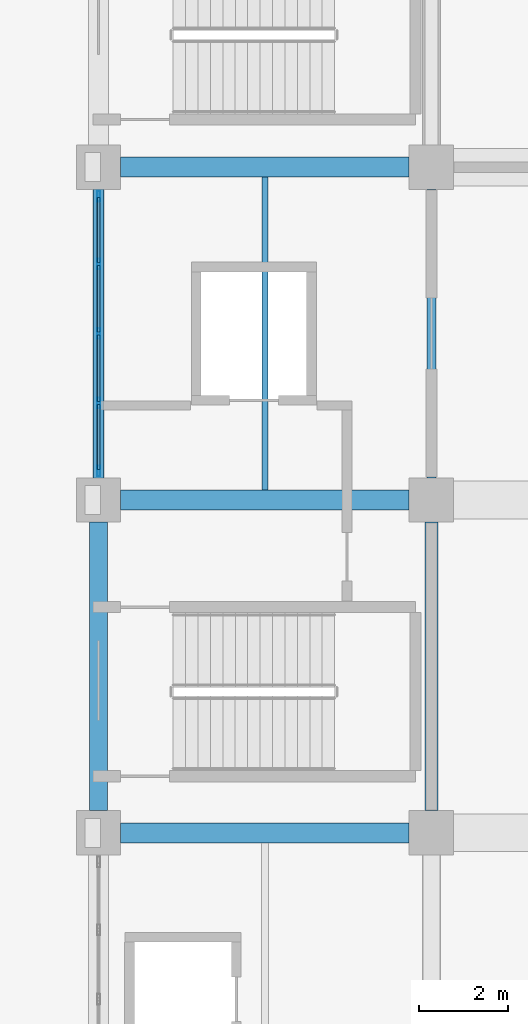
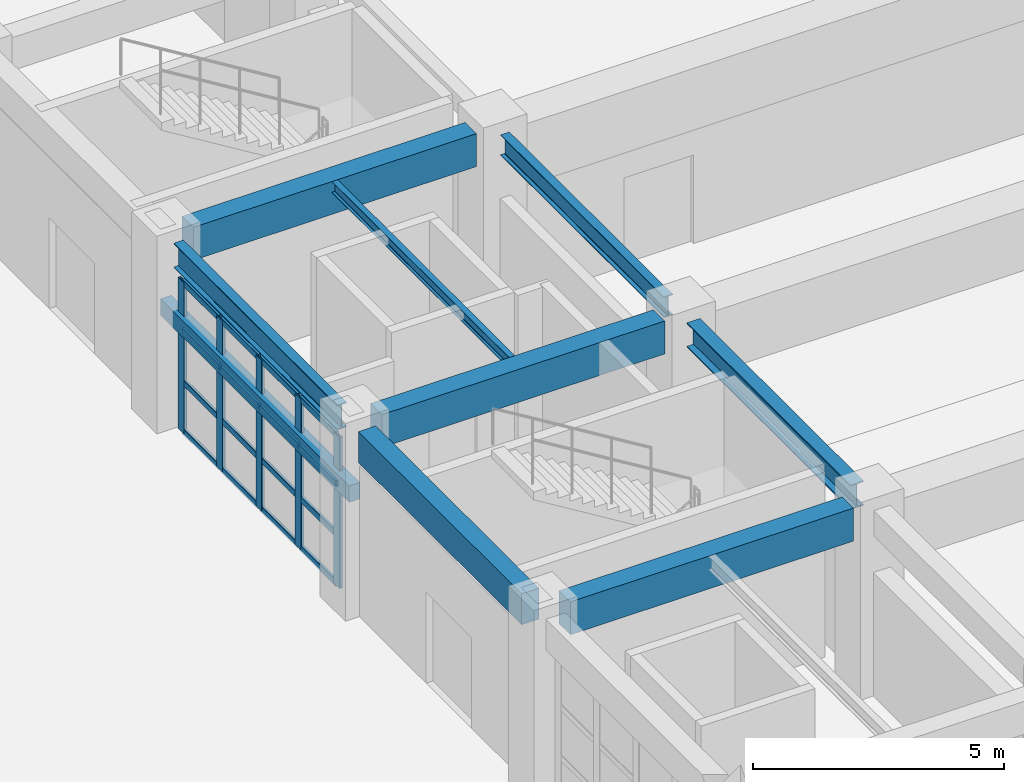
# One storey, part 22 of 122: 21 members, 9 beams, 1 element without a shape of its own.
"""IFC4 building model written with IfcOpenShell, lengths in metres."""

from ifc_helpers import new_model, si_unit, direction, frame, origin, origin_2d, place, context, subcontext, project, spatial, rectangle, hollow_rectangle, i_section, extrude, material, material_profile, profile_set, type_object, element, aggregate, save


model = new_model("IFC4")

# Units and contexts
model_context = context("Model", 3, precision=1e-05, world=origin(), true_north=direction((0.0, 1.0)))
body_context = subcontext(model_context, "Body", "Model", "MODEL_VIEW")
ifc_project = project(units=[si_unit("LENGTHUNIT", "METRE"), si_unit("AREAUNIT", "SQUARE_METRE"), si_unit("VOLUMEUNIT", "CUBIC_METRE"), si_unit("PLANEANGLEUNIT", "RADIAN"), si_unit("MASSUNIT", "GRAM", prefix="KILO")], contexts=[model_context])

# Site, building, storey
site_placement = place(None, origin())
site = spatial("IfcSite", under=ifc_project, at=site_placement, CompositionType="ELEMENT")
building_placement = place(site_placement, origin())
building = spatial("IfcBuilding", under=site, at=building_placement, Name="Qasida Concert Hall", CompositionType="ELEMENT")
storey_placement = place(building_placement, origin())
storey = spatial("IfcBuildingStorey", under=building, at=storey_placement, Name="L00", CompositionType="ELEMENT", Elevation=0.0)

# Beams
ifc_material_1 = material(Name="Steel S355J2", Category="steel")
ifc_material_profile_1 = material_profile(ifc_material_1, i_section(OverallWidth=0.199951171875, OverallDepth=0.5, WebThickness=0.01025390625, FlangeThickness=0.01611328125, FilletRadius=0.02099609375, at=origin_2d()), Name="IPE 500")
ifc_profile_set_1 = profile_set([ifc_material_profile_1], Name="Steel S355J2")
beam_type_1 = type_object("IfcBeamType", Name="BM-B4", PredefinedType="BEAM", material=ifc_profile_set_1)
beam_1_placement = place(storey_placement, frame((60.0, 53.0, 4.25), z_axis=(0.0, 1.0, 0.0), x_axis=(-1.0, 0.0, 0.0)))
element("IfcBeam", 1, at=beam_1_placement, inside=storey, type_object=beam_type_1, Name="L00 girder 0412", PredefinedType="BEAM", context=body_context, shape_type="SweptSolid", body=[
    extrude(i_section(OverallWidth=0.199951171875, OverallDepth=0.5, WebThickness=0.01025390625, FlangeThickness=0.01611328125, FilletRadius=0.02099609375, at=origin_2d()), origin(), (0.0, 0.0, 1.0), 6.5),
])
ifc_material_profile_2 = material_profile(ifc_material_1, i_section(OverallWidth=0.300048828125, OverallDepth=0.60009765625, WebThickness=0.015380859375, FlangeThickness=0.030029296875, FilletRadius=0.027099609375, at=origin_2d()), Name="HEB 600")
ifc_profile_set_2 = profile_set([ifc_material_profile_2], Name="Steel S355J2")
beam_type_2 = type_object("IfcBeamType", Name="BM-B6", PredefinedType="BEAM", material=ifc_profile_set_2)
beam_2_placement = place(storey_placement, frame((60.0, 45.5, 4.199951171875), z_axis=(0.0, 1.0, 0.0), x_axis=(-1.0, 0.0, 0.0)))
element("IfcBeam", 2, at=beam_2_placement, inside=storey, type_object=beam_type_2, Name="L00 girder 0411", PredefinedType="BEAM", context=body_context, shape_type="SweptSolid", body=[
    extrude(i_section(OverallWidth=0.300048828125, OverallDepth=0.60009765625, WebThickness=0.015380859375, FlangeThickness=0.030029296875, FilletRadius=0.027099609375, at=origin_2d()), origin(), (0.0, 0.0, 1.0), 6.5),
])
ifc_material_2 = material(Name="Concrete C40/50", Category="concrete")
ifc_material_profile_3 = material_profile(ifc_material_2, rectangle(XDim=0.449951171875, YDim=0.800048828125, at=origin_2d()), Name="RC 450x800")
ifc_profile_set_3 = profile_set([ifc_material_profile_3], Name="Concrete C40/50")
beam_type_3 = type_object("IfcBeamType", Name="BM-G2", PredefinedType="USERDEFINED", material=ifc_profile_set_3)
for number, where, z_axis, x_axis, name in (
    (3, (53.0, 45.0, 4.10009765625), (1.0, 0.0, 0.0), (0.0, 1.0, 0.0), "Primary girder 0370"),
    (4, (53.0, 52.5, 4.10009765625), (1.0, 0.0, 0.0), (0.0, 1.0, 0.0), "Primary girder 0375"),
    (5, (53.0, 60.0, 4.10009765625), (1.0, 0.0, 0.0), (0.0, 1.0, 0.0), "Primary girder 0380"),
):
    element("IfcBeam", number, at=place(storey_placement, frame(where, z_axis=z_axis, x_axis=x_axis)), inside=storey, type_object=beam_type_3, Name=name, ObjectType="GIRDER", PredefinedType="USERDEFINED", context=body_context, shape_type="SweptSolid", body=[
        extrude(rectangle(XDim=0.449951171875, YDim=0.800048828125, at=origin_2d()), origin(), (0.0, 0.0, 1.0), 6.5),
    ])
ifc_material_profile_4 = material_profile(ifc_material_1, i_section(OverallWidth=0.135009765625, OverallDepth=0.27001953125, WebThickness=0.006591796875, FlangeThickness=0.01025390625, FilletRadius=0.014892578125, at=origin_2d()), Name="IPE 270")
ifc_profile_set_4 = profile_set([ifc_material_profile_4], Name="Steel S355J2")
beam_type_4 = type_object("IfcBeamType", Name="BM-J6", PredefinedType="JOIST", material=ifc_profile_set_4)
beam_3_placement = place(storey_placement, frame((56.25, 52.72509765625, 4.364990234375), z_axis=(0.0, 1.0, 0.0), x_axis=(-1.0, 0.0, 0.0)))
element("IfcBeam", 6, at=beam_3_placement, inside=storey, type_object=beam_type_4, Name="L00 secondary joist 0445", PredefinedType="JOIST", context=body_context, shape_type="SweptSolid", body=[
    extrude(i_section(OverallWidth=0.135009765625, OverallDepth=0.27001953125, WebThickness=0.006591796875, FlangeThickness=0.01025390625, FilletRadius=0.014892578125, at=origin_2d()), origin(), (0.0, 0.0, 1.0), 7.0498046875),
])
ifc_material_profile_5 = material_profile(ifc_material_2, rectangle(XDim=0.25, YDim=0.39990234375, at=origin_2d()), Name="RC 250x400")
ifc_profile_set_5 = profile_set([ifc_material_profile_5], Name="Concrete C40/50")
beam_type_5 = type_object("IfcBeamType", Name="BM-LN1", PredefinedType="LINTEL", material=ifc_profile_set_5)
beam_4_placement = place(storey_placement, frame((52.5, 52.5, 2.64990234375), z_axis=(0.0, 1.0, 0.0), x_axis=(-1.0, 0.0, 0.0)))
element("IfcBeam", 7, at=beam_4_placement, inside=storey, type_object=beam_type_5, Name="L00 portal lintel beam 001", PredefinedType="LINTEL", context=body_context, shape_type="SweptSolid", body=[
    extrude(rectangle(XDim=0.25, YDim=0.39990234375, at=origin_2d()), origin(), (0.0, 0.0, 1.0), 7.5),
])
ifc_material_profile_6 = material_profile(ifc_material_2, rectangle(XDim=0.39990234375, YDim=0.75, at=origin_2d()), Name="RC 400x750")
ifc_profile_set_6 = profile_set([ifc_material_profile_6], Name="Concrete C40/50")
beam_type_6 = type_object("IfcBeamType", Name="BM-SP1", PredefinedType="SPANDREL", material=ifc_profile_set_6)
beam_5_placement = place(storey_placement, frame((52.5, 45.5, 4.125), z_axis=(0.0, 1.0, 0.0), x_axis=(-1.0, 0.0, 0.0)))
element("IfcBeam", 8, at=beam_5_placement, inside=storey, type_object=beam_type_6, Name="L00 girder 0405", PredefinedType="SPANDREL", context=body_context, shape_type="SweptSolid", body=[
    extrude(rectangle(XDim=0.39990234375, YDim=0.75, at=origin_2d()), origin(), (0.0, 0.0, 1.0), 6.5),
])
ifc_material_profile_7 = material_profile(ifc_material_1, i_section(OverallWidth=0.219970703125, OverallDepth=0.60009765625, WebThickness=0.011962890625, FlangeThickness=0.01904296875, FilletRadius=0.02392578125, at=origin_2d()), Name="IPE 600")
ifc_profile_set_7 = profile_set([ifc_material_profile_7], Name="Steel S355J2")
beam_type_7 = type_object("IfcBeamType", Name="BM-SP3", PredefinedType="SPANDREL", material=ifc_profile_set_7)
beam_6_placement = place(storey_placement, frame((52.5, 53.0, 4.199951171875), z_axis=(0.0, 1.0, 0.0), x_axis=(-1.0, 0.0, 0.0)))
element("IfcBeam", 9, at=beam_6_placement, inside=storey, type_object=beam_type_7, Name="L00 girder 0406", PredefinedType="SPANDREL", context=body_context, shape_type="SweptSolid", body=[
    extrude(i_section(OverallWidth=0.219970703125, OverallDepth=0.60009765625, WebThickness=0.011962890625, FlangeThickness=0.01904296875, FilletRadius=0.02392578125, at=origin_2d()), origin(), (0.0, 0.0, 1.0), 6.5),
])

# Curtain wall, members
ifc_material_3 = material(Name="Architectural bronze-anodized aluminium and low-E glass", Category="aluminium")
curtain_wall_type = type_object("IfcCurtainWallType", Name="CW-01", PredefinedType="NOTDEFINED", material=ifc_material_3)
curtain_wall_placement = place(storey_placement, origin())
curtain_wall = element("IfcCurtainWall", 10, at=curtain_wall_placement, inside=storey, type_object=curtain_wall_type, Name="L00 curtain wall CW-01 0039", PredefinedType="NOTDEFINED")
ifc_material_4 = material(Name="Architectural bronze-anodized aluminium EN AW-6063", Category="aluminium")
ifc_material_profile_8 = material_profile(ifc_material_4, hollow_rectangle(XDim=0.070068359375, YDim=0.239990234375, WallThickness=0.0048828125, InnerFilletRadius=0.0048828125, OuterFilletRadius=0.010009765625, at=origin_2d()), Name="CWM 240x70x5")
ifc_profile_set_8 = profile_set([ifc_material_profile_8], Name="Architectural bronze-anodized aluminium EN AW-6063")
member_type_1 = type_object("IfcMemberType", Name="MB-CWM-1", PredefinedType="MULLION", material=ifc_profile_set_8)
member_1_placement = place(storey_placement, frame((52.5, 53.155029296875, 0.0), z_axis=(0.0, 0.0, 1.0), x_axis=(-1.0, 0.0, 0.0)))
member_1 = element("IfcMember", 11, at=member_1_placement, type_object=member_type_1, Name="CW-01 mullion 1", PredefinedType="MULLION", context=body_context, shape_type="SweptSolid", body=[
    extrude(hollow_rectangle(XDim=0.070068359375, YDim=0.239990234375, WallThickness=0.0048828125, InnerFilletRadius=0.0048828125, OuterFilletRadius=0.010009765625, at=origin_2d()), origin(), (0.0, 0.0, 1.0), 3.669921875),
])
member_2_placement = place(storey_placement, frame((52.5, 54.68505859375, 0.0), z_axis=(0.0, 0.0, 1.0), x_axis=(-1.0, 0.0, 0.0)))
member_2 = element("IfcMember", 12, at=member_2_placement, type_object=member_type_1, Name="CW-01 mullion 2", PredefinedType="MULLION", context=body_context, shape_type="SweptSolid", body=[
    extrude(hollow_rectangle(XDim=0.070068359375, YDim=0.239990234375, WallThickness=0.0048828125, InnerFilletRadius=0.0048828125, OuterFilletRadius=0.010009765625, at=origin_2d()), origin(), (0.0, 0.0, 1.0), 3.669921875),
])
member_3_placement = place(storey_placement, frame((52.5, 56.25, 0.0), z_axis=(0.0, 0.0, 1.0), x_axis=(-1.0, 0.0, 0.0)))
member_3 = element("IfcMember", 13, at=member_3_placement, type_object=member_type_1, Name="CW-01 mullion 3", PredefinedType="MULLION", context=body_context, shape_type="SweptSolid", body=[
    extrude(hollow_rectangle(XDim=0.070068359375, YDim=0.239990234375, WallThickness=0.0048828125, InnerFilletRadius=0.0048828125, OuterFilletRadius=0.010009765625, at=origin_2d()), origin(), (0.0, 0.0, 1.0), 3.669921875),
])
member_4_placement = place(storey_placement, frame((52.5, 57.81494140625, 0.0), z_axis=(0.0, 0.0, 1.0), x_axis=(-1.0, 0.0, 0.0)))
member_4 = element("IfcMember", 14, at=member_4_placement, type_object=member_type_1, Name="CW-01 mullion 4", PredefinedType="MULLION", context=body_context, shape_type="SweptSolid", body=[
    extrude(hollow_rectangle(XDim=0.070068359375, YDim=0.239990234375, WallThickness=0.0048828125, InnerFilletRadius=0.0048828125, OuterFilletRadius=0.010009765625, at=origin_2d()), origin(), (0.0, 0.0, 1.0), 3.669921875),
])
member_5_placement = place(storey_placement, frame((52.5, 59.344970703125, 0.0), z_axis=(0.0, 0.0, 1.0), x_axis=(-1.0, 0.0, 0.0)))
member_5 = element("IfcMember", 15, at=member_5_placement, type_object=member_type_1, Name="CW-01 mullion 5", PredefinedType="MULLION", context=body_context, shape_type="SweptSolid", body=[
    extrude(hollow_rectangle(XDim=0.070068359375, YDim=0.239990234375, WallThickness=0.0048828125, InnerFilletRadius=0.0048828125, OuterFilletRadius=0.010009765625, at=origin_2d()), origin(), (0.0, 0.0, 1.0), 3.669921875),
])
ifc_material_profile_9 = material_profile(ifc_material_4, hollow_rectangle(XDim=0.06494140625, YDim=0.14990234375, WallThickness=0.00390625, InnerFilletRadius=0.00390625, OuterFilletRadius=0.008056640625, at=origin_2d()), Name="CWT 150x65x4")
ifc_profile_set_9 = profile_set([ifc_material_profile_9], Name="Architectural bronze-anodized aluminium EN AW-6063")
member_type_2 = type_object("IfcMemberType", Name="MB-CWT-1", PredefinedType="USERDEFINED", material=ifc_profile_set_9)
member_6_placement = place(storey_placement, frame((52.5, 53.18994140625, 0.032470703125), z_axis=(0.0, 1.0, 0.0), x_axis=(-1.0, 0.0, 0.0)))
member_6 = element("IfcMember", 16, at=member_6_placement, type_object=member_type_2, Name="CW-01 transom 1.1", ObjectType="TRANSOM", PredefinedType="USERDEFINED", context=body_context, shape_type="SweptSolid", body=[
    extrude(hollow_rectangle(XDim=0.06494140625, YDim=0.14990234375, WallThickness=0.00390625, InnerFilletRadius=0.00390625, OuterFilletRadius=0.008056640625, at=origin_2d()), origin(), (0.0, 0.0, 1.0), 1.4599609375),
])
member_7_placement = place(storey_placement, frame((52.5, 53.18994140625, 1.223388671875), z_axis=(0.0, 1.0, 0.0), x_axis=(-1.0, 0.0, 0.0)))
member_7 = element("IfcMember", 17, at=member_7_placement, type_object=member_type_2, Name="CW-01 transom 1.2", ObjectType="TRANSOM", PredefinedType="USERDEFINED", context=body_context, shape_type="SweptSolid", body=[
    extrude(hollow_rectangle(XDim=0.06494140625, YDim=0.14990234375, WallThickness=0.00390625, InnerFilletRadius=0.00390625, OuterFilletRadius=0.008056640625, at=origin_2d()), origin(), (0.0, 0.0, 1.0), 1.4599609375),
])
member_8_placement = place(storey_placement, frame((52.5, 53.18994140625, 2.44677734375), z_axis=(0.0, 1.0, 0.0), x_axis=(-1.0, 0.0, 0.0)))
member_8 = element("IfcMember", 18, at=member_8_placement, type_object=member_type_2, Name="CW-01 transom 1.3", ObjectType="TRANSOM", PredefinedType="USERDEFINED", context=body_context, shape_type="SweptSolid", body=[
    extrude(hollow_rectangle(XDim=0.06494140625, YDim=0.14990234375, WallThickness=0.00390625, InnerFilletRadius=0.00390625, OuterFilletRadius=0.008056640625, at=origin_2d()), origin(), (0.0, 0.0, 1.0), 1.4599609375),
])
member_9_placement = place(storey_placement, frame((52.5, 53.18994140625, 3.637451171875), z_axis=(0.0, 1.0, 0.0), x_axis=(-1.0, 0.0, 0.0)))
member_9 = element("IfcMember", 19, at=member_9_placement, type_object=member_type_2, Name="CW-01 transom 1.4", ObjectType="TRANSOM", PredefinedType="USERDEFINED", context=body_context, shape_type="SweptSolid", body=[
    extrude(hollow_rectangle(XDim=0.06494140625, YDim=0.14990234375, WallThickness=0.00390625, InnerFilletRadius=0.00390625, OuterFilletRadius=0.008056640625, at=origin_2d()), origin(), (0.0, 0.0, 1.0), 1.4599609375),
])
member_10_placement = place(storey_placement, frame((52.5, 54.719970703125, 0.032470703125), z_axis=(0.0, 1.0, 0.0), x_axis=(-1.0, 0.0, 0.0)))
member_10 = element("IfcMember", 20, at=member_10_placement, type_object=member_type_2, Name="CW-01 transom 2.1", ObjectType="TRANSOM", PredefinedType="USERDEFINED", context=body_context, shape_type="SweptSolid", body=[
    extrude(hollow_rectangle(XDim=0.06494140625, YDim=0.14990234375, WallThickness=0.00390625, InnerFilletRadius=0.00390625, OuterFilletRadius=0.008056640625, at=origin_2d()), origin(), (0.0, 0.0, 1.0), 1.4951171875),
])
member_11_placement = place(storey_placement, frame((52.5, 54.719970703125, 1.223388671875), z_axis=(0.0, 1.0, 0.0), x_axis=(-1.0, 0.0, 0.0)))
member_11 = element("IfcMember", 21, at=member_11_placement, type_object=member_type_2, Name="CW-01 transom 2.2", ObjectType="TRANSOM", PredefinedType="USERDEFINED", context=body_context, shape_type="SweptSolid", body=[
    extrude(hollow_rectangle(XDim=0.06494140625, YDim=0.14990234375, WallThickness=0.00390625, InnerFilletRadius=0.00390625, OuterFilletRadius=0.008056640625, at=origin_2d()), origin(), (0.0, 0.0, 1.0), 1.4951171875),
])
member_12_placement = place(storey_placement, frame((52.5, 54.719970703125, 2.44677734375), z_axis=(0.0, 1.0, 0.0), x_axis=(-1.0, 0.0, 0.0)))
member_12 = element("IfcMember", 22, at=member_12_placement, type_object=member_type_2, Name="CW-01 transom 2.3", ObjectType="TRANSOM", PredefinedType="USERDEFINED", context=body_context, shape_type="SweptSolid", body=[
    extrude(hollow_rectangle(XDim=0.06494140625, YDim=0.14990234375, WallThickness=0.00390625, InnerFilletRadius=0.00390625, OuterFilletRadius=0.008056640625, at=origin_2d()), origin(), (0.0, 0.0, 1.0), 1.4951171875),
])
member_13_placement = place(storey_placement, frame((52.5, 54.719970703125, 3.637451171875), z_axis=(0.0, 1.0, 0.0), x_axis=(-1.0, 0.0, 0.0)))
member_13 = element("IfcMember", 23, at=member_13_placement, type_object=member_type_2, Name="CW-01 transom 2.4", ObjectType="TRANSOM", PredefinedType="USERDEFINED", context=body_context, shape_type="SweptSolid", body=[
    extrude(hollow_rectangle(XDim=0.06494140625, YDim=0.14990234375, WallThickness=0.00390625, InnerFilletRadius=0.00390625, OuterFilletRadius=0.008056640625, at=origin_2d()), origin(), (0.0, 0.0, 1.0), 1.4951171875),
])
member_14_placement = place(storey_placement, frame((52.5, 56.284912109375, 0.032470703125), z_axis=(0.0, 1.0, 0.0), x_axis=(-1.0, 0.0, 0.0)))
member_14 = element("IfcMember", 24, at=member_14_placement, type_object=member_type_2, Name="CW-01 transom 3.1", ObjectType="TRANSOM", PredefinedType="USERDEFINED", context=body_context, shape_type="SweptSolid", body=[
    extrude(hollow_rectangle(XDim=0.06494140625, YDim=0.14990234375, WallThickness=0.00390625, InnerFilletRadius=0.00390625, OuterFilletRadius=0.008056640625, at=origin_2d()), origin(), (0.0, 0.0, 1.0), 1.4951171875),
])
member_15_placement = place(storey_placement, frame((52.5, 56.284912109375, 1.223388671875), z_axis=(0.0, 1.0, 0.0), x_axis=(-1.0, 0.0, 0.0)))
member_15 = element("IfcMember", 25, at=member_15_placement, type_object=member_type_2, Name="CW-01 transom 3.2", ObjectType="TRANSOM", PredefinedType="USERDEFINED", context=body_context, shape_type="SweptSolid", body=[
    extrude(hollow_rectangle(XDim=0.06494140625, YDim=0.14990234375, WallThickness=0.00390625, InnerFilletRadius=0.00390625, OuterFilletRadius=0.008056640625, at=origin_2d()), origin(), (0.0, 0.0, 1.0), 1.4951171875),
])
member_16_placement = place(storey_placement, frame((52.5, 56.284912109375, 2.44677734375), z_axis=(0.0, 1.0, 0.0), x_axis=(-1.0, 0.0, 0.0)))
member_16 = element("IfcMember", 26, at=member_16_placement, type_object=member_type_2, Name="CW-01 transom 3.3", ObjectType="TRANSOM", PredefinedType="USERDEFINED", context=body_context, shape_type="SweptSolid", body=[
    extrude(hollow_rectangle(XDim=0.06494140625, YDim=0.14990234375, WallThickness=0.00390625, InnerFilletRadius=0.00390625, OuterFilletRadius=0.008056640625, at=origin_2d()), origin(), (0.0, 0.0, 1.0), 1.4951171875),
])
member_17_placement = place(storey_placement, frame((52.5, 56.284912109375, 3.637451171875), z_axis=(0.0, 1.0, 0.0), x_axis=(-1.0, 0.0, 0.0)))
member_17 = element("IfcMember", 27, at=member_17_placement, type_object=member_type_2, Name="CW-01 transom 3.4", ObjectType="TRANSOM", PredefinedType="USERDEFINED", context=body_context, shape_type="SweptSolid", body=[
    extrude(hollow_rectangle(XDim=0.06494140625, YDim=0.14990234375, WallThickness=0.00390625, InnerFilletRadius=0.00390625, OuterFilletRadius=0.008056640625, at=origin_2d()), origin(), (0.0, 0.0, 1.0), 1.4951171875),
])
member_18_placement = place(storey_placement, frame((52.5, 57.85009765625, 0.032470703125), z_axis=(0.0, 1.0, 0.0), x_axis=(-1.0, 0.0, 0.0)))
member_18 = element("IfcMember", 28, at=member_18_placement, type_object=member_type_2, Name="CW-01 transom 4.1", ObjectType="TRANSOM", PredefinedType="USERDEFINED", context=body_context, shape_type="SweptSolid", body=[
    extrude(hollow_rectangle(XDim=0.06494140625, YDim=0.14990234375, WallThickness=0.00390625, InnerFilletRadius=0.00390625, OuterFilletRadius=0.008056640625, at=origin_2d()), origin(), (0.0, 0.0, 1.0), 1.4599609375),
])
member_19_placement = place(storey_placement, frame((52.5, 57.85009765625, 1.223388671875), z_axis=(0.0, 1.0, 0.0), x_axis=(-1.0, 0.0, 0.0)))
member_19 = element("IfcMember", 29, at=member_19_placement, type_object=member_type_2, Name="CW-01 transom 4.2", ObjectType="TRANSOM", PredefinedType="USERDEFINED", context=body_context, shape_type="SweptSolid", body=[
    extrude(hollow_rectangle(XDim=0.06494140625, YDim=0.14990234375, WallThickness=0.00390625, InnerFilletRadius=0.00390625, OuterFilletRadius=0.008056640625, at=origin_2d()), origin(), (0.0, 0.0, 1.0), 1.4599609375),
])
member_20_placement = place(storey_placement, frame((52.5, 57.85009765625, 2.44677734375), z_axis=(0.0, 1.0, 0.0), x_axis=(-1.0, 0.0, 0.0)))
member_20 = element("IfcMember", 30, at=member_20_placement, type_object=member_type_2, Name="CW-01 transom 4.3", ObjectType="TRANSOM", PredefinedType="USERDEFINED", context=body_context, shape_type="SweptSolid", body=[
    extrude(hollow_rectangle(XDim=0.06494140625, YDim=0.14990234375, WallThickness=0.00390625, InnerFilletRadius=0.00390625, OuterFilletRadius=0.008056640625, at=origin_2d()), origin(), (0.0, 0.0, 1.0), 1.4599609375),
])
member_21_placement = place(storey_placement, frame((52.5, 57.85009765625, 3.637451171875), z_axis=(0.0, 1.0, 0.0), x_axis=(-1.0, 0.0, 0.0)))
member_21 = element("IfcMember", 31, at=member_21_placement, type_object=member_type_2, Name="CW-01 transom 4.4", ObjectType="TRANSOM", PredefinedType="USERDEFINED", context=body_context, shape_type="SweptSolid", body=[
    extrude(hollow_rectangle(XDim=0.06494140625, YDim=0.14990234375, WallThickness=0.00390625, InnerFilletRadius=0.00390625, OuterFilletRadius=0.008056640625, at=origin_2d()), origin(), (0.0, 0.0, 1.0), 1.4599609375),
])
aggregate(curtain_wall, [member_1, member_2, member_3, member_4, member_5, member_6, member_7, member_8, member_9, member_10, member_11, member_12, member_13, member_14, member_15, member_16, member_17, member_18, member_19, member_20, member_21])

save(model, "model.ifc")
